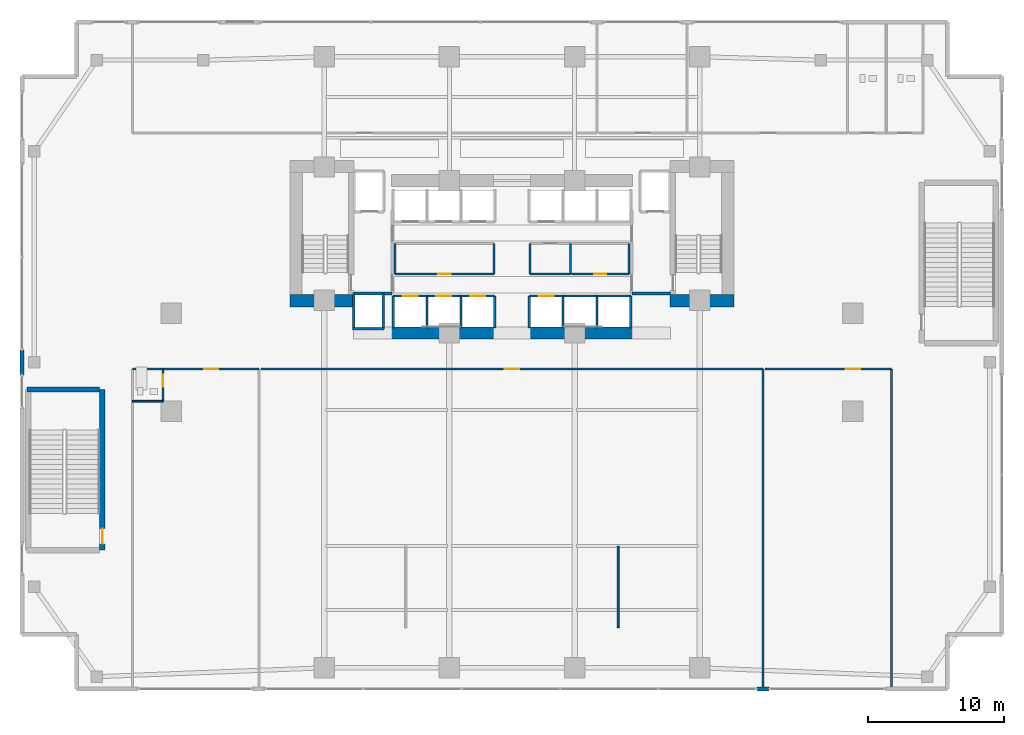
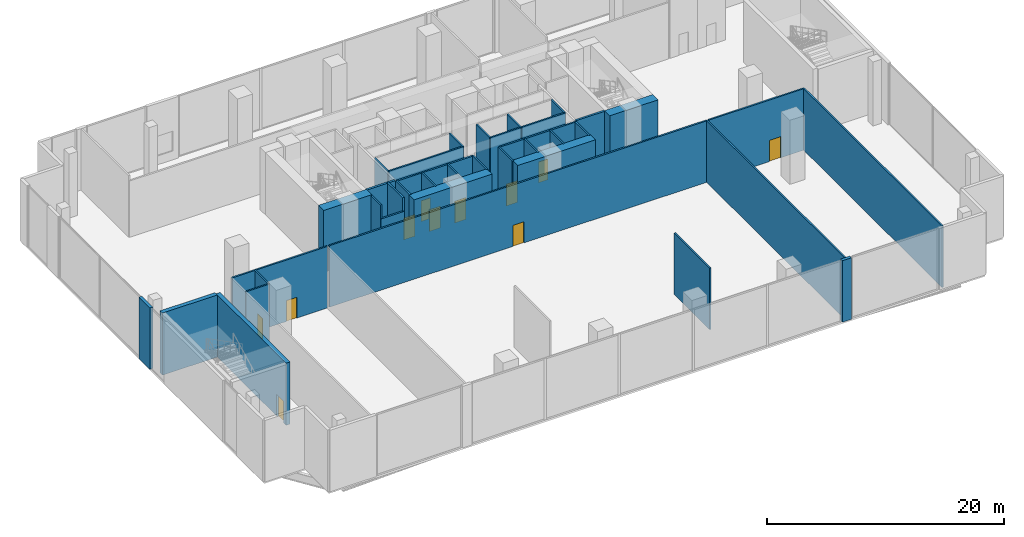
# One storey, part 23 of 30: 43 walls, 11 doors, 11 openings.
"""IFC4 building model written with IfcOpenShell, lengths in metres."""

from ifc_helpers import new_model, si_unit, direction, frame, frame_2d, origin, place, context, subcontext, project, spatial, rectangle, extrude, material, layer, layer_set, type_object, element, fill, save


model = new_model("IFC4")

# Units and contexts
model_context = context("Model", 3, precision=1e-05, world=origin(), true_north=direction((0.0, 1.0)))
body_context = subcontext(model_context, "Body", "Model", "MODEL_VIEW")
ifc_project = project(units=[si_unit("LENGTHUNIT", "METRE"), si_unit("AREAUNIT", "SQUARE_METRE"), si_unit("VOLUMEUNIT", "CUBIC_METRE"), si_unit("PLANEANGLEUNIT", "RADIAN"), si_unit("MASSUNIT", "GRAM", prefix="KILO")], contexts=[model_context])

# Site, building, storey
site_placement = place(None, origin())
site = spatial("IfcSite", under=ifc_project, at=site_placement, CompositionType="ELEMENT")
building_placement = place(site_placement, origin())
building = spatial("IfcBuilding", under=site, at=building_placement, Name="Zuhayl Quay Hotel", CompositionType="ELEMENT")
storey_placement = place(building_placement, frame((0.0, 0.0, 11.39990234375)))
storey = spatial("IfcBuildingStorey", under=building, at=storey_placement, Name="L02", CompositionType="ELEMENT", Elevation=11.39990234375)

# Walls
ifc_material_1 = material(Name="Concrete C70/85", Category="concrete")
ifc_layer_1 = layer(ifc_material_1, 0.89990234375, Name="Concrete C70/85", Category="concrete")
ifc_layer_set_1 = layer_set([ifc_layer_1], Name="Concrete C70/85")
wall_type_1 = type_object("IfcWallType", Name="WL_CORE_900", PredefinedType="SHEAR", material=ifc_layer_set_1)
for number, where, z_axis, x_axis, name in (
    (1, (-16.31005859375, 4.52001953125, 0.0), (0.0, 0.0, 1.0), (1.0, 0.0, 0.0), "L02 Core Shear Wall CW_SW"),
    (2, (11.60009765625, 4.52001953125, 0.0), (0.0, 0.0, 1.0), (1.0, 0.0, 0.0), "L02 Core Shear Wall CW_SE"),
):
    element("IfcWall", number, at=place(storey_placement, frame(where, z_axis=z_axis, x_axis=x_axis)), inside=storey, type_object=wall_type_1, Name=name, PredefinedType="SHEAR", context=body_context, shape_type="SweptSolid", body=[
        extrude(rectangle(XDim=4.7099609375, YDim=0.89990234375, at=frame_2d((2.35498046875, 0.0))), origin(), (0.0, 0.0, 1.0), 6.41015625),
    ])
for number, where, z_axis, x_axis, name in (
    (3, (-8.85009765625, 2.14990234375, 0.0), (0.0, 0.0, 1.0), (1.0, 0.0, 0.0), "L02 Core Shear Wall CW_SC_W"),
    (4, (1.25, 2.14990234375, 0.0), (0.0, 0.0, 1.0), (1.0, 0.0, 0.0), "L02 Core Shear Wall CW_SC_E"),
):
    element("IfcWall", number, at=place(storey_placement, frame(where, z_axis=z_axis, x_axis=x_axis)), inside=storey, type_object=wall_type_1, Name=name, PredefinedType="SHEAR", context=body_context, shape_type="SweptSolid", body=[
        extrude(rectangle(XDim=7.60009765625, YDim=0.89990234375, at=frame_2d((3.800048828125, 0.0))), origin(), (0.0, 0.0, 1.0), 6.340087890625),
    ])
ifc_material_2 = material(Name="Precast concrete C45/55", Category="concrete")
ifc_layer_2 = layer(ifc_material_2, 0.300048828125, Name="Precast concrete C45/55", Category="concrete")
ifc_layer_set_2 = layer_set([ifc_layer_2], Name="Precast concrete C45/55")
wall_type_2 = type_object("IfcWallType", Name="WL_EXT_300", PredefinedType="STANDARD", material=ifc_layer_set_2)
wall_1_placement = place(storey_placement, frame((-36.0, -0.919921875, 0.0), z_axis=(0.0, 0.0, 1.0), x_axis=(0.0, 1.0, 0.0)))
element("IfcWall", 5, at=wall_1_placement, inside=storey, type_object=wall_type_2, Name="L02 Exterior Precast Wall ENV_L02_E02_EW3", PredefinedType="STANDARD", context=body_context, shape_type="SweptSolid", body=[
    extrude(rectangle(XDim=1.83984375, YDim=0.300048828125, at=frame_2d((0.919921875, 0.0))), origin(), (0.0, 0.0, 1.0), 6.340087890625),
])
wall_2_placement = place(storey_placement, frame((18.889892578125, -24.0, 0.0), z_axis=(0.0, 0.0, 1.0), x_axis=(-1.0, 0.0, 0.0)))
element("IfcWall", 6, at=wall_2_placement, inside=storey, type_object=wall_type_2, Name="L02 Exterior Precast Wall ENV_L02_E11_EW2", PredefinedType="STANDARD", context=body_context, shape_type="SweptSolid", body=[
    extrude(rectangle(XDim=0.89990234375, YDim=0.300048828125, at=frame_2d((0.449951171875, 0.0))), origin(), (0.0, 0.0, 1.0), 6.340087890625),
])
ifc_material_3 = material(Name="Acoustic Timber Operable Panel STC-54", Category="wood")
ifc_layer_3 = layer(ifc_material_3, 0.139892578125, Name="Acoustic Timber Operable Panel STC-54", Category="wood")
ifc_layer_set_3 = layer_set([ifc_layer_3], Name="Acoustic Timber Operable Panel STC-54")
wall_type_3 = type_object("IfcWallType", Name="WL_MOVABLE_140", PredefinedType="MOVABLE", material=ifc_layer_set_3)
wall_3_placement = place(storey_placement, frame((7.800048828125, -19.5, 0.0), z_axis=(0.0, 0.0, 1.0), x_axis=(0.0, 1.0, 0.0)))
element("IfcWall", 7, at=wall_3_placement, inside=storey, type_object=wall_type_3, Name="L02 Operable Acoustic Banquet Partition MW1-2", PredefinedType="MOVABLE", context=body_context, shape_type="SweptSolid", body=[
    extrude(rectangle(XDim=6.0, YDim=0.139892578125, at=frame_2d((3.0, 0.0))), origin(), (0.0, 0.0, 1.0), 6.340087890625),
])

# Wall, opening, door
ifc_material_4 = material(Name="Acoustic Gypsum Partition STC-58")
ifc_layer_4 = layer(ifc_material_4, 0.14990234375, Name="Acoustic Gypsum Partition STC-58")
ifc_layer_set_4 = layer_set([ifc_layer_4], Name="Acoustic Gypsum Partition STC-58")
wall_type_4 = type_object("IfcWallType", Name="WL_PART_150", PredefinedType="PARTITIONING", material=ifc_layer_set_4)
wall_4_placement = place(storey_placement, frame((-8.610107421875, 6.47998046875, 0.0), z_axis=(0.0, 0.0, 1.0), x_axis=(1.0, 0.0, 0.0)))
wall_4 = element("IfcWall", 8, at=wall_4_placement, inside=storey, type_object=wall_type_4, Name="L02 Partition IW_L02_CORE_EL_S", PredefinedType="PARTITIONING", context=body_context, shape_type="SweptSolid", body=[
    extrude(rectangle(XDim=7.2900390625, YDim=0.14990234375, at=frame_2d((3.64501953125, 0.0))), origin(), (0.0, 0.0, 1.0), 6.340087890625),
])
opening_1_placement = place(wall_4_placement, frame((3.195068359375, 0.0, 0.0)))
opening_1 = element("IfcOpeningElement", 9, at=opening_1_placement, cuts=wall_4, Name="Opening D06", PredefinedType="OPENING", context=body_context, shape_type="SweptSolid", body=[
    extrude(rectangle(XDim=0.89990234375, YDim=2.14990234375, at=frame_2d((0.449951171875, 1.074951171875))), frame((0.0, 0.0849609375, 0.0), z_axis=(0.0, -1.0, 0.0), x_axis=(1.0, 0.0, 0.0)), (0.0, 0.0, 1.0), 0.169921875),
])
ifc_material_5 = material(Name="Steel ASTM A992 Grade 50", Category="steel")
door_type_1 = type_object("IfcDoorType", Name="DR_INT_900", OperationType="NOTDEFINED", PredefinedType="DOOR", material=ifc_material_5)
door_1_placement = place(opening_1_placement, origin())
door_1 = element("IfcDoor", 10, at=door_1_placement, inside=storey, type_object=door_type_1, Name="L02 Floor Electrical Plant Room Door", OperationType="SINGLE_SWING_RIGHT", OverallHeight=2.14990234375, OverallWidth=0.89990234375, PredefinedType="DOOR", context=body_context, shape_type="SweptSolid", body=[
    extrude(rectangle(XDim=0.89990234375, YDim=2.14990234375, at=frame_2d((0.449951171875, 1.074951171875))), frame((0.0, 0.02490234375, 0.0), z_axis=(0.0, -1.0, 0.0), x_axis=(1.0, 0.0, 0.0)), (0.0, 0.0, 1.0), 0.050048828125),
])
fill(opening_1, door_1)

wall_5_placement = place(storey_placement, frame((4.3701171875, 6.47998046875, 0.0), z_axis=(0.0, 0.0, 1.0), x_axis=(1.0, 0.0, 0.0)))
wall_5 = element("IfcWall", 11, at=wall_5_placement, inside=storey, type_object=wall_type_4, Name="L02 Partition IW_L02_CORE_LN_S", PredefinedType="PARTITIONING", context=body_context, shape_type="SweptSolid", body=[
    extrude(rectangle(XDim=4.239990234375, YDim=0.14990234375, at=frame_2d((2.1201171875, 0.0))), origin(), (0.0, 0.0, 1.0), 6.340087890625),
])
opening_2_placement = place(wall_5_placement, frame((1.669921875, 0.0, 0.0)))
opening_2 = element("IfcOpeningElement", 12, at=opening_2_placement, cuts=wall_5, Name="Opening D06", PredefinedType="OPENING", context=body_context, shape_type="SweptSolid", body=[
    extrude(rectangle(XDim=0.89990234375, YDim=2.14990234375, at=frame_2d((0.449951171875, 1.074951171875))), frame((0.0, 0.0849609375, 0.0), z_axis=(0.0, -1.0, 0.0), x_axis=(1.0, 0.0, 0.0)), (0.0, 0.0, 1.0), 0.169921875),
])
door_2_placement = place(opening_2_placement, origin())
door_2 = element("IfcDoor", 13, at=door_2_placement, inside=storey, type_object=door_type_1, Name="L02 Core Linen Store Door", OperationType="SINGLE_SWING_RIGHT", OverallHeight=2.14990234375, OverallWidth=0.89990234375, PredefinedType="DOOR", context=body_context, shape_type="SweptSolid", body=[
    extrude(rectangle(XDim=0.89990234375, YDim=2.14990234375, at=frame_2d((0.449951171875, 1.074951171875))), frame((0.0, 0.02490234375, 0.0), z_axis=(0.0, -1.0, 0.0), x_axis=(1.0, 0.0, 0.0)), (0.0, 0.0, 1.0), 0.050048828125),
])
fill(opening_2, door_2)

# Walls
for number, where, z_axis, x_axis, name in (
    (14, (-8.610107421875, 6.47998046875, 0.0), (0.0, 0.0, 1.0), (0.0, 1.0, 0.0), "L02 Partition IW_L02_CORE_EL_W"),
    (15, (-1.320068359375, 6.47998046875, 0.0), (0.0, 0.0, 1.0), (0.0, 1.0, 0.0), "L02 Partition IW_L02_CORE_EL_E"),
):
    element("IfcWall", number, at=place(storey_placement, frame(where, z_axis=z_axis, x_axis=x_axis)), inside=storey, type_object=wall_type_4, Name=name, PredefinedType="PARTITIONING", context=body_context, shape_type="SweptSolid", body=[
        extrude(rectangle(XDim=2.239990234375, YDim=0.14990234375, at=frame_2d((1.1201171875, 0.0))), origin(), (0.0, 0.0, 1.0), 6.340087890625),
    ])
wall_6_placement = place(storey_placement, frame((1.320068359375, 6.47998046875, 0.0), z_axis=(0.0, 0.0, 1.0), x_axis=(1.0, 0.0, 0.0)))
element("IfcWall", 16, at=wall_6_placement, inside=storey, type_object=wall_type_4, Name="L02 Partition IW_L02_CORE_IT_S", PredefinedType="PARTITIONING", context=body_context, shape_type="SweptSolid", body=[
    extrude(rectangle(XDim=2.989990234375, YDim=0.14990234375, at=frame_2d((1.4951171875, 0.0))), origin(), (0.0, 0.0, 1.0), 6.340087890625),
])
for number, where, z_axis, x_axis, name in (
    (17, (1.320068359375, 6.47998046875, 0.0), (0.0, 0.0, 1.0), (0.0, 1.0, 0.0), "L02 Partition IW_L02_CORE_IT_W"),
    (18, (4.31005859375, 6.47998046875, 0.0), (0.0, 0.0, 1.0), (0.0, 1.0, 0.0), "L02 Partition IW_L02_CORE_IT_E"),
    (19, (8.610107421875, 6.47998046875, 0.0), (0.0, 0.0, 1.0), (0.0, 1.0, 0.0), "L02 Partition IW_L02_CORE_LN_E"),
):
    element("IfcWall", number, at=place(storey_placement, frame(where, z_axis=z_axis, x_axis=x_axis)), inside=storey, type_object=wall_type_4, Name=name, PredefinedType="PARTITIONING", context=body_context, shape_type="SweptSolid", body=[
        extrude(rectangle(XDim=2.239990234375, YDim=0.14990234375, at=frame_2d((1.1201171875, 0.0))), origin(), (0.0, 0.0, 1.0), 6.340087890625),
    ])
for number, where, z_axis, x_axis, name in (
    (20, (18.43994140625, -23.93994140625, 0.0), (0.0, 0.0, 1.0), (0.0, 1.0, 0.0), "L02 Partition IW_L02_BALLROOM_E"),
    (21, (27.89990234375, -23.93994140625, 0.0), (0.0, 0.0, 1.0), (0.0, 1.0, 0.0), "L02 Partition IW_L02_BQ_KITCH_E"),
):
    element("IfcWall", number, at=place(storey_placement, frame(where, z_axis=z_axis, x_axis=x_axis)), inside=storey, type_object=wall_type_4, Name=name, PredefinedType="PARTITIONING", context=body_context, shape_type="SweptSolid", body=[
        extrude(rectangle(XDim=23.43994140625, YDim=0.14990234375, at=frame_2d((11.719970703125, 0.0))), origin(), (0.0, 0.0, 1.0), 6.340087890625),
    ])

# Wall, opening, door
ifc_layer_5 = layer(ifc_material_4, 0.159912109375, Name="Acoustic Gypsum Partition STC-58")
ifc_layer_set_5 = layer_set([ifc_layer_5], Name="Acoustic Gypsum Partition STC-58")
wall_type_5 = type_object("IfcWallType", Name="WL_PART_CORR_160", PredefinedType="PARTITIONING", material=ifc_layer_set_5)
wall_7_placement = place(storey_placement, frame((-27.89990234375, -0.5, 0.0), z_axis=(0.0, 0.0, 1.0), x_axis=(1.0, 0.0, 0.0)))
wall_7 = element("IfcWall", 22, at=wall_7_placement, inside=storey, type_object=wall_type_5, Name="L02 Partition IW_L02_BRIDAL_COR", PredefinedType="PARTITIONING", context=body_context, shape_type="SweptSolid", body=[
    extrude(rectangle(XDim=9.2998046875, YDim=0.159912109375, at=frame_2d((4.64990234375, 0.0))), origin(), (0.0, 0.0, 1.0), 6.340087890625),
])
opening_3_placement = place(wall_7_placement, frame((5.300048828125, 0.0, 0.0)))
opening_3 = element("IfcOpeningElement", 23, at=opening_3_placement, cuts=wall_7, Name="Opening D03L", PredefinedType="OPENING", context=body_context, shape_type="SweptSolid", body=[
    extrude(rectangle(XDim=1.0, YDim=2.14990234375, at=frame_2d((0.5, 1.074951171875))), frame((0.0, 0.08984375, 0.0), z_axis=(0.0, -1.0, 0.0), x_axis=(1.0, 0.0, 0.0)), (0.0, 0.0, 1.0), 0.179931640625),
])
ifc_material_6 = material(Name="Solid Walnut Acoustic Fire Door")
door_type_2 = type_object("IfcDoorType", Name="DR_SUITE_1000", OperationType="NOTDEFINED", PredefinedType="DOOR", material=ifc_material_6)
door_3_placement = place(opening_3_placement, origin())
door_3 = element("IfcDoor", 24, at=door_3_placement, inside=storey, type_object=door_type_2, Name="L02 Bridal Preparation Guest Suite Entrance Door", OperationType="SINGLE_SWING_RIGHT", OverallHeight=2.14990234375, OverallWidth=1.0, PredefinedType="DOOR", context=body_context, shape_type="SweptSolid", body=[
    extrude(rectangle(XDim=1.0, YDim=2.14990234375, at=frame_2d((0.5, 1.074951171875))), frame((0.0, 0.02490234375, 0.0), z_axis=(0.0, -1.0, 0.0), x_axis=(1.0, 0.0, 0.0)), (0.0, 0.0, 1.0), 0.050048828125),
])
fill(opening_3, door_3)

wall_8_placement = place(storey_placement, frame((-18.43994140625, -0.5, 0.0), z_axis=(0.0, 0.0, 1.0), x_axis=(1.0, 0.0, 0.0)))
wall_8 = element("IfcWall", 25, at=wall_8_placement, inside=storey, type_object=wall_type_5, Name="L02 Partition IW_L02_BALLROOM_N", PredefinedType="PARTITIONING", context=body_context, shape_type="SweptSolid", body=[
    extrude(rectangle(XDim=36.8798828125, YDim=0.159912109375, at=frame_2d((18.43994140625, 0.0))), origin(), (0.0, 0.0, 1.0), 6.340087890625),
])
opening_4_placement = place(wall_8_placement, frame((17.89990234375, 0.0, 0.0)))
opening_4 = element("IfcOpeningElement", 26, at=opening_4_placement, cuts=wall_8, Name="Opening D05A", PredefinedType="OPENING", context=body_context, shape_type="SweptSolid", body=[
    extrude(rectangle(XDim=1.080078125, YDim=2.179931640625, at=frame_2d((0.5400390625, 1.08984375))), frame((0.0, 0.08984375, 0.0), z_axis=(0.0, -1.0, 0.0), x_axis=(1.0, 0.0, 0.0)), (0.0, 0.0, 1.0), 0.179931640625),
])
door_type_3 = type_object("IfcDoorType", Name="DR_INT_1100", OperationType="NOTDEFINED", PredefinedType="DOOR", material=ifc_material_6)
door_4_placement = place(opening_4_placement, origin())
door_4 = element("IfcDoor", 27, at=door_4_placement, inside=storey, type_object=door_type_3, Name="L02 Column-Free Grand Ballroom Door", OperationType="SINGLE_SWING_LEFT", OverallHeight=2.179931640625, OverallWidth=1.080078125, PredefinedType="DOOR", context=body_context, shape_type="SweptSolid", body=[
    extrude(rectangle(XDim=1.080078125, YDim=2.179931640625, at=frame_2d((0.5400390625, 1.08984375))), frame((0.0, 0.02490234375, 0.0), z_axis=(0.0, -1.0, 0.0), x_axis=(1.0, 0.0, 0.0)), (0.0, 0.0, 1.0), 0.050048828125),
])
fill(opening_4, door_4)

wall_9_placement = place(storey_placement, frame((18.60009765625, -0.5, 0.0), z_axis=(0.0, 0.0, 1.0), x_axis=(1.0, 0.0, 0.0)))
wall_9 = element("IfcWall", 28, at=wall_9_placement, inside=storey, type_object=wall_type_5, Name="L02 Partition IW_L02_BQ_KITCH_N", PredefinedType="PARTITIONING", context=body_context, shape_type="SweptSolid", body=[
    extrude(rectangle(XDim=9.2998046875, YDim=0.159912109375, at=frame_2d((4.64990234375, 0.0))), origin(), (0.0, 0.0, 1.0), 6.340087890625),
])
opening_5_placement = place(wall_9_placement, frame((5.909912109375, 0.0, 0.0)))
opening_5 = element("IfcOpeningElement", 29, at=opening_5_placement, cuts=wall_9, Name="Opening D05A", PredefinedType="OPENING", context=body_context, shape_type="SweptSolid", body=[
    extrude(rectangle(XDim=1.080078125, YDim=2.179931640625, at=frame_2d((0.5400390625, 1.08984375))), frame((0.0, 0.08984375, 0.0), z_axis=(0.0, -1.0, 0.0), x_axis=(1.0, 0.0, 0.0)), (0.0, 0.0, 1.0), 0.179931640625),
])
door_5_placement = place(opening_5_placement, origin())
door_5 = element("IfcDoor", 30, at=door_5_placement, inside=storey, type_object=door_type_3, Name="L02 Banquet Plating Kitchen Door", OperationType="SINGLE_SWING_RIGHT", OverallHeight=2.179931640625, OverallWidth=1.080078125, PredefinedType="DOOR", context=body_context, shape_type="SweptSolid", body=[
    extrude(rectangle(XDim=1.080078125, YDim=2.179931640625, at=frame_2d((0.5400390625, 1.08984375))), frame((0.0, 0.02490234375, 0.0), z_axis=(0.0, -1.0, 0.0), x_axis=(1.0, 0.0, 0.0)), (0.0, 0.0, 1.0), 0.050048828125),
])
fill(opening_5, door_5)

ifc_material_7 = material(Name="Moisture-Resistant Sanitarychase Gypsum")
ifc_layer_6 = layer(ifc_material_7, 0.135009765625, Name="Moisture-Resistant Sanitarychase Gypsum")
ifc_layer_set_6 = layer_set([ifc_layer_6], Name="Moisture-Resistant Sanitarychase Gypsum")
wall_type_6 = type_object("IfcWallType", Name="WL_PART_PLUMB_150", PredefinedType="PLUMBINGWALL", material=ifc_layer_set_6)
wall_10_placement = place(storey_placement, frame((-25.639892578125, -2.860107421875, 0.0), z_axis=(0.0, 0.0, 1.0), x_axis=(0.0, 1.0, 0.0)))
wall_10 = element("IfcWall", 31, at=wall_10_placement, inside=storey, type_object=wall_type_6, Name="L02 Partition IW_L02_BRIDAL_BE", PredefinedType="PLUMBINGWALL", context=body_context, shape_type="SweptSolid", body=[
    extrude(rectangle(XDim=2.360107421875, YDim=0.135009765625, at=frame_2d((1.18017578125, 0.0))), origin(), (0.0, 0.0, 1.0), 6.340087890625),
])
opening_6_placement = place(wall_10_placement, frame((1.080078125, 0.0, 0.0)))
opening_6 = element("IfcOpeningElement", 32, at=opening_6_placement, cuts=wall_10, Name="Opening D04", PredefinedType="OPENING", context=body_context, shape_type="SweptSolid", body=[
    extrude(rectangle(XDim=0.85009765625, YDim=2.10009765625, at=frame_2d((0.425048828125, 1.050048828125))), frame((0.0, 0.077392578125, 0.0), z_axis=(0.0, -1.0, 0.0), x_axis=(1.0, 0.0, 0.0)), (0.0, 0.0, 1.0), 0.155029296875),
])
ifc_material_8 = material(Name="Moisture-Resistant Walnut Veneer")
door_type_4 = type_object("IfcDoorType", Name="DR_BATH_850", OperationType="NOTDEFINED", PredefinedType="DOOR", material=ifc_material_8)
door_6_placement = place(opening_6_placement, origin())
door_6 = element("IfcDoor", 33, at=door_6_placement, inside=storey, type_object=door_type_4, Name="L02 Bridal Preparation Guest Suite En-Suite Door", OperationType="SINGLE_SWING_LEFT", OverallHeight=2.10009765625, OverallWidth=0.85009765625, PredefinedType="DOOR", context=body_context, shape_type="SweptSolid", body=[
    extrude(rectangle(XDim=0.85009765625, YDim=2.10009765625, at=frame_2d((0.425048828125, 1.050048828125))), frame((0.0, 0.02490234375, 0.0), z_axis=(0.0, -1.0, 0.0), x_axis=(1.0, 0.0, 0.0)), (0.0, 0.0, 1.0), 0.050048828125),
])
fill(opening_6, door_6)

# Wall
wall_11_placement = place(storey_placement, frame((-27.89990234375, -2.860107421875, 0.0), z_axis=(0.0, 0.0, 1.0), x_axis=(1.0, 0.0, 0.0)))
element("IfcWall", 34, at=wall_11_placement, inside=storey, type_object=wall_type_6, Name="L02 Partition IW_L02_BRIDAL_BS", PredefinedType="PLUMBINGWALL", context=body_context, shape_type="SweptSolid", body=[
    extrude(rectangle(XDim=2.260009765625, YDim=0.135009765625, at=frame_2d((1.1298828125, 0.0))), origin(), (0.0, 0.0, 1.0), 6.340087890625),
])

# Wall, opening, door
ifc_material_9 = material(Name="Gypsum Fireboard Assembly EI-90")
ifc_layer_7 = layer(ifc_material_9, 0.1650390625, Name="Gypsum Fireboard Assembly EI-90")
ifc_layer_set_7 = layer_set([ifc_layer_7], Name="Gypsum Fireboard Assembly EI-90")
wall_type_7 = type_object("IfcWallType", Name="WL_PART_SHAFT_160", PredefinedType="PARTITIONING", material=ifc_layer_set_7)
wall_12_placement = place(storey_placement, frame((-8.72998046875, 4.8798828125, 0.0), z_axis=(0.0, 0.0, 1.0), x_axis=(1.0, 0.0, 0.0)))
wall_12 = element("IfcWall", 35, at=wall_12_placement, inside=storey, type_object=wall_type_7, Name="L02 Partition IW_L02_SH_LP1_F", PredefinedType="PARTITIONING", context=body_context, shape_type="SweptSolid", body=[
    extrude(rectangle(XDim=2.47998046875, YDim=0.1650390625, at=frame_2d((1.239990234375, 0.0))), origin(), (0.0, 0.0, 1.0), 6.340087890625),
])
opening_7_placement = place(wall_12_placement, frame((0.68994140625, 0.0, 0.0)))
opening_7 = element("IfcOpeningElement", 36, at=opening_7_placement, cuts=wall_12, Name="Opening LD1", PredefinedType="OPENING", context=body_context, shape_type="SweptSolid", body=[
    extrude(rectangle(XDim=1.10009765625, YDim=2.25, at=frame_2d((0.550048828125, 1.125))), frame((0.0, 0.092529296875, 0.0), z_axis=(0.0, -1.0, 0.0), x_axis=(1.0, 0.0, 0.0)), (0.0, 0.0, 1.0), 0.18505859375),
])
ifc_material_10 = material(Name="Brushed Stainless Steel", Category="steel")
door_type_5 = type_object("IfcDoorType", Name="DR_LIFT_PASS_1100", OperationType="SLIDING_TO_LEFT", PredefinedType="DOOR", material=ifc_material_10)
door_7_placement = place(opening_7_placement, origin())
door_7 = element("IfcDoor", 37, at=door_7_placement, inside=storey, type_object=door_type_5, Name="L02 Lift LP1 Sliding Landing Door", OperationType="SLIDING_TO_LEFT", OverallHeight=2.25, OverallWidth=1.10009765625, PredefinedType="DOOR", context=body_context, shape_type="SweptSolid", body=[
    extrude(rectangle(XDim=1.10009765625, YDim=2.25, at=frame_2d((0.550048828125, 1.125))), frame((0.0, 0.02490234375, 0.0), z_axis=(0.0, -1.0, 0.0), x_axis=(1.0, 0.0, 0.0)), (0.0, 0.0, 1.0), 0.050048828125),
])
fill(opening_7, door_7)

wall_13_placement = place(storey_placement, frame((-6.25, 4.8798828125, 0.0), z_axis=(0.0, 0.0, 1.0), x_axis=(1.0, 0.0, 0.0)))
wall_13 = element("IfcWall", 38, at=wall_13_placement, inside=storey, type_object=wall_type_7, Name="L02 Partition IW_L02_SH_LP2_F", PredefinedType="PARTITIONING", context=body_context, shape_type="SweptSolid", body=[
    extrude(rectangle(XDim=2.5, YDim=0.1650390625, at=frame_2d((1.25, 0.0))), origin(), (0.0, 0.0, 1.0), 6.340087890625),
])
opening_8_placement = place(wall_13_placement, frame((0.699951171875, 0.0, 0.0)))
opening_8 = element("IfcOpeningElement", 39, at=opening_8_placement, cuts=wall_13, Name="Opening LD1", PredefinedType="OPENING", context=body_context, shape_type="SweptSolid", body=[
    extrude(rectangle(XDim=1.10009765625, YDim=2.25, at=frame_2d((0.550048828125, 1.125))), frame((0.0, 0.092529296875, 0.0), z_axis=(0.0, -1.0, 0.0), x_axis=(1.0, 0.0, 0.0)), (0.0, 0.0, 1.0), 0.18505859375),
])
door_8_placement = place(opening_8_placement, origin())
door_8 = element("IfcDoor", 40, at=door_8_placement, inside=storey, type_object=door_type_5, Name="L02 Lift LP2 Sliding Landing Door", OperationType="SLIDING_TO_LEFT", OverallHeight=2.25, OverallWidth=1.10009765625, PredefinedType="DOOR", context=body_context, shape_type="SweptSolid", body=[
    extrude(rectangle(XDim=1.10009765625, YDim=2.25, at=frame_2d((0.550048828125, 1.125))), frame((0.0, 0.02490234375, 0.0), z_axis=(0.0, -1.0, 0.0), x_axis=(1.0, 0.0, 0.0)), (0.0, 0.0, 1.0), 0.050048828125),
])
fill(opening_8, door_8)

wall_14_placement = place(storey_placement, frame((-3.75, 4.8798828125, 0.0), z_axis=(0.0, 0.0, 1.0), x_axis=(1.0, 0.0, 0.0)))
wall_14 = element("IfcWall", 41, at=wall_14_placement, inside=storey, type_object=wall_type_7, Name="L02 Partition IW_L02_SH_MP1_F", PredefinedType="PARTITIONING", context=body_context, shape_type="SweptSolid", body=[
    extrude(rectangle(XDim=2.47998046875, YDim=0.1650390625, at=frame_2d((1.239990234375, 0.0))), origin(), (0.0, 0.0, 1.0), 6.340087890625),
])
opening_9_placement = place(wall_14_placement, frame((0.68994140625, 0.0, 0.0)))
opening_9 = element("IfcOpeningElement", 42, at=opening_9_placement, cuts=wall_14, Name="Opening LD1", PredefinedType="OPENING", context=body_context, shape_type="SweptSolid", body=[
    extrude(rectangle(XDim=1.10009765625, YDim=2.25, at=frame_2d((0.550048828125, 1.125))), frame((0.0, 0.092529296875, 0.0), z_axis=(0.0, -1.0, 0.0), x_axis=(1.0, 0.0, 0.0)), (0.0, 0.0, 1.0), 0.18505859375),
])
door_9_placement = place(opening_9_placement, origin())
door_9 = element("IfcDoor", 43, at=door_9_placement, inside=storey, type_object=door_type_5, Name="L02 Lift MP1 Sliding Landing Door", OperationType="SLIDING_TO_LEFT", OverallHeight=2.25, OverallWidth=1.10009765625, PredefinedType="DOOR", context=body_context, shape_type="SweptSolid", body=[
    extrude(rectangle(XDim=1.10009765625, YDim=2.25, at=frame_2d((0.550048828125, 1.125))), frame((0.0, 0.02490234375, 0.0), z_axis=(0.0, -1.0, 0.0), x_axis=(1.0, 0.0, 0.0)), (0.0, 0.0, 1.0), 0.050048828125),
])
fill(opening_9, door_9)

wall_15_placement = place(storey_placement, frame((1.27001953125, 4.8798828125, 0.0), z_axis=(0.0, 0.0, 1.0), x_axis=(1.0, 0.0, 0.0)))
wall_15 = element("IfcWall", 44, at=wall_15_placement, inside=storey, type_object=wall_type_7, Name="L02 Partition IW_L02_SH_MP2_F", PredefinedType="PARTITIONING", context=body_context, shape_type="SweptSolid", body=[
    extrude(rectangle(XDim=2.47998046875, YDim=0.1650390625, at=frame_2d((1.239990234375, 0.0))), origin(), (0.0, 0.0, 1.0), 6.340087890625),
])
opening_10_placement = place(wall_15_placement, frame((0.68994140625, 0.0, 0.0)))
opening_10 = element("IfcOpeningElement", 45, at=opening_10_placement, cuts=wall_15, Name="Opening LD1", PredefinedType="OPENING", context=body_context, shape_type="SweptSolid", body=[
    extrude(rectangle(XDim=1.10009765625, YDim=2.25, at=frame_2d((0.550048828125, 1.125))), frame((0.0, 0.092529296875, 0.0), z_axis=(0.0, -1.0, 0.0), x_axis=(1.0, 0.0, 0.0)), (0.0, 0.0, 1.0), 0.18505859375),
])
door_10_placement = place(opening_10_placement, origin())
door_10 = element("IfcDoor", 46, at=door_10_placement, inside=storey, type_object=door_type_5, Name="L02 Lift MP2 Sliding Landing Door", OperationType="SLIDING_TO_LEFT", OverallHeight=2.25, OverallWidth=1.10009765625, PredefinedType="DOOR", context=body_context, shape_type="SweptSolid", body=[
    extrude(rectangle(XDim=1.10009765625, YDim=2.25, at=frame_2d((0.550048828125, 1.125))), frame((0.0, 0.02490234375, 0.0), z_axis=(0.0, -1.0, 0.0), x_axis=(1.0, 0.0, 0.0)), (0.0, 0.0, 1.0), 0.050048828125),
])
fill(opening_10, door_10)

# Walls
for number, where, z_axis, x_axis, name in (
    (47, (-8.72998046875, 2.52001953125, 0.0), (0.0, 0.0, 1.0), (0.0, 1.0, 0.0), "L02 Partition IW_L02_SH_LP1_W"),
    (48, (-6.25, 2.52001953125, 0.0), (0.0, 0.0, 1.0), (0.0, 1.0, 0.0), "L02 Partition IW_L02_SH_LP1_E"),
    (49, (-3.75, 2.52001953125, 0.0), (0.0, 0.0, 1.0), (0.0, 1.0, 0.0), "L02 Partition IW_L02_SH_LP2_E"),
    (50, (-1.27001953125, 2.52001953125, 0.0), (0.0, 0.0, 1.0), (0.0, 1.0, 0.0), "L02 Partition IW_L02_SH_MP1_E"),
    (51, (1.27001953125, 2.52001953125, 0.0), (0.0, 0.0, 1.0), (0.0, 1.0, 0.0), "L02 Partition IW_L02_SH_MP2_W"),
    (52, (3.75, 2.52001953125, 0.0), (0.0, 0.0, 1.0), (0.0, 1.0, 0.0), "L02 Partition IW_L02_SH_MP2_E"),
):
    element("IfcWall", number, at=place(storey_placement, frame(where, z_axis=z_axis, x_axis=x_axis)), inside=storey, type_object=wall_type_7, Name=name, PredefinedType="PARTITIONING", context=body_context, shape_type="SweptSolid", body=[
        extrude(rectangle(XDim=2.35986328125, YDim=0.1650390625, at=frame_2d((1.179931640625, 0.0))), origin(), (0.0, 0.0, 1.0), 6.340087890625),
    ])
wall_16_placement = place(storey_placement, frame((3.75, 4.8798828125, 0.0), z_axis=(0.0, 0.0, 1.0), x_axis=(1.0, 0.0, 0.0)))
element("IfcWall", 53, at=wall_16_placement, inside=storey, type_object=wall_type_7, Name="L02 Partition IW_L02_SH_HP1_F", PredefinedType="PARTITIONING", context=body_context, shape_type="SweptSolid", body=[
    extrude(rectangle(XDim=2.5, YDim=0.1650390625, at=frame_2d((1.25, 0.0))), origin(), (0.0, 0.0, 1.0), 6.340087890625),
])
wall_17_placement = place(storey_placement, frame((6.25, 2.52001953125, 0.0), z_axis=(0.0, 0.0, 1.0), x_axis=(0.0, 1.0, 0.0)))
element("IfcWall", 54, at=wall_17_placement, inside=storey, type_object=wall_type_7, Name="L02 Partition IW_L02_SH_HP1_E", PredefinedType="PARTITIONING", context=body_context, shape_type="SweptSolid", body=[
    extrude(rectangle(XDim=2.35986328125, YDim=0.1650390625, at=frame_2d((1.179931640625, 0.0))), origin(), (0.0, 0.0, 1.0), 6.340087890625),
])
wall_18_placement = place(storey_placement, frame((6.25, 4.8798828125, 0.0), z_axis=(0.0, 0.0, 1.0), x_axis=(1.0, 0.0, 0.0)))
element("IfcWall", 55, at=wall_18_placement, inside=storey, type_object=wall_type_7, Name="L02 Partition IW_L02_SH_HP2_F", PredefinedType="PARTITIONING", context=body_context, shape_type="SweptSolid", body=[
    extrude(rectangle(XDim=2.47998046875, YDim=0.1650390625, at=frame_2d((1.239990234375, 0.0))), origin(), (0.0, 0.0, 1.0), 6.340087890625),
])
wall_19_placement = place(storey_placement, frame((8.72998046875, 2.52001953125, 0.0), z_axis=(0.0, 0.0, 1.0), x_axis=(0.0, 1.0, 0.0)))
element("IfcWall", 56, at=wall_19_placement, inside=storey, type_object=wall_type_7, Name="L02 Partition IW_L02_SH_HP2_E", PredefinedType="PARTITIONING", context=body_context, shape_type="SweptSolid", body=[
    extrude(rectangle(XDim=2.35986328125, YDim=0.1650390625, at=frame_2d((1.179931640625, 0.0))), origin(), (0.0, 0.0, 1.0), 6.340087890625),
])
wall_20_placement = place(storey_placement, frame((-11.6298828125, 2.469970703125, 0.0), z_axis=(0.0, 0.0, 1.0), x_axis=(0.0, 1.0, 0.0)))
element("IfcWall", 57, at=wall_20_placement, inside=storey, type_object=wall_type_7, Name="L02 Partition IW_L02_RISER_W", PredefinedType="PARTITIONING", context=body_context, shape_type="SweptSolid", body=[
    extrude(rectangle(XDim=2.580078125, YDim=0.1650390625, at=frame_2d((1.2900390625, 0.0))), origin(), (0.0, 0.0, 1.0), 6.340087890625),
])
wall_21_placement = place(storey_placement, frame((-11.7099609375, 2.469970703125, 0.0), z_axis=(0.0, 0.0, 1.0), x_axis=(1.0, 0.0, 0.0)))
element("IfcWall", 58, at=wall_21_placement, inside=storey, type_object=wall_type_7, Name="L02 Partition IW_L02_RISER_S", PredefinedType="PARTITIONING", context=body_context, shape_type="SweptSolid", body=[
    extrude(rectangle(XDim=2.31005859375, YDim=0.1650390625, at=frame_2d((1.155029296875, 0.0))), origin(), (0.0, 0.0, 1.0), 4.940185546875),
])
ifc_layer_8 = layer(ifc_material_9, 0.179931640625, Name="Gypsum Fireboard Assembly EI-90")
ifc_layer_set_8 = layer_set([ifc_layer_8], Name="Gypsum Fireboard Assembly EI-90")
wall_type_8 = type_object("IfcWallType", Name="WL_PART_SHAFT_180", PredefinedType="PARTITIONING", material=ifc_layer_set_8)
wall_22_placement = place(storey_placement, frame((-9.469970703125, 2.449951171875, 0.0), z_axis=(0.0, 0.0, 1.0), x_axis=(0.0, 1.0, 0.0)))
element("IfcWall", 59, at=wall_22_placement, inside=storey, type_object=wall_type_8, Name="L02 Partition IW_L02_RISER_E", PredefinedType="PARTITIONING", context=body_context, shape_type="SweptSolid", body=[
    extrude(rectangle(XDim=2.60009765625, YDim=0.179931640625, at=frame_2d((1.300048828125, 0.0))), origin(), (0.0, 0.0, 1.0), 6.340087890625),
])
ifc_material_11 = material(Name="Gypsum Fireboard Assembly EI-120")
ifc_layer_9 = layer(ifc_material_11, 0.199951171875, Name="Gypsum Fireboard Assembly EI-120")
ifc_layer_set_9 = layer_set([ifc_layer_9], Name="Gypsum Fireboard Assembly EI-120")
wall_type_9 = type_object("IfcWallType", Name="WL_PART_SHAFT_200", PredefinedType="PARTITIONING", material=ifc_layer_set_9)
for number, where, z_axis, x_axis, name in (
    (60, (-11.64990234375, 5.050048828125, 0.0), (0.0, 0.0, 1.0), (1.0, 0.0, 0.0), "L02 Partition IW_L02_FSAE_W_S"),
    (61, (8.800048828125, 5.050048828125, 0.0), (0.0, 0.0, 1.0), (1.0, 0.0, 0.0), "L02 Partition IW_L02_FSAE_E_S"),
):
    element("IfcWall", number, at=place(storey_placement, frame(where, z_axis=z_axis, x_axis=x_axis)), inside=storey, type_object=wall_type_9, Name=name, PredefinedType="PARTITIONING", context=body_context, shape_type="SweptSolid", body=[
        extrude(rectangle(XDim=2.849853515625, YDim=0.199951171875, at=frame_2d((1.4248046875, 0.0))), origin(), (0.0, 0.0, 1.0), 6.340087890625),
    ])

# Wall, opening, door
ifc_material_12 = material(Name="Concrete C60/75", Category="concrete")
ifc_layer_10 = layer(ifc_material_12, 0.39990234375, Name="Concrete C60/75", Category="concrete")
ifc_layer_set_10 = layer_set([ifc_layer_10], Name="Concrete C60/75")
wall_type_10 = type_object("IfcWallType", Name="WL_STAIR_400", PredefinedType="SHEAR", material=ifc_layer_set_10)
wall_23_placement = place(storey_placement, frame((-30.10009765625, -13.800048828125, 0.0), z_axis=(0.0, 0.0, 1.0), x_axis=(0.0, 1.0, 0.0)))
wall_23 = element("IfcWall", 62, at=wall_23_placement, inside=storey, type_object=wall_type_10, Name="L02 Podium Stair Shear Wall SW_ST3_E", PredefinedType="SHEAR", context=body_context, shape_type="SweptSolid", body=[
    extrude(rectangle(XDim=11.800048828125, YDim=0.39990234375, at=frame_2d((5.89990234375, 0.0))), origin(), (0.0, 0.0, 1.0), 6.41015625),
])
opening_11_placement = place(wall_23_placement, frame((0.449951171875, 0.0, 0.0)))
opening_11 = element("IfcOpeningElement", 63, at=opening_11_placement, cuts=wall_23, Name="Opening D01", PredefinedType="OPENING", context=body_context, shape_type="SweptSolid", body=[
    extrude(rectangle(XDim=1.1201171875, YDim=2.219970703125, at=frame_2d((0.56005859375, 1.10986328125))), frame((0.0, 0.2099609375, 0.0), z_axis=(0.0, -1.0, 0.0), x_axis=(1.0, 0.0, 0.0)), (0.0, 0.0, 1.0), 0.419921875),
])
door_type_6 = type_object("IfcDoorType", Name="DR_STAIR_90_1100", OperationType="NOTDEFINED", PredefinedType="DOOR", material=ifc_material_5)
door_11_placement = place(opening_11_placement, origin())
door_11 = element("IfcDoor", 64, at=door_11_placement, inside=storey, type_object=door_type_6, Name="L02 Podium Exit Stair ST3 Door", OperationType="SINGLE_SWING_RIGHT", OverallHeight=2.219970703125, OverallWidth=1.1201171875, PredefinedType="DOOR", context=body_context, shape_type="SweptSolid", body=[
    extrude(rectangle(XDim=1.1201171875, YDim=2.219970703125, at=frame_2d((0.56005859375, 1.10986328125))), frame((0.0, 0.02490234375, 0.0), z_axis=(0.0, -1.0, 0.0), x_axis=(1.0, 0.0, 0.0)), (0.0, 0.0, 1.0), 0.050048828125),
])
fill(opening_11, door_11)

# Wall
wall_24_placement = place(storey_placement, frame((-35.64990234375, -2.0, 0.0), z_axis=(0.0, 0.0, 1.0), x_axis=(1.0, 0.0, 0.0)))
element("IfcWall", 65, at=wall_24_placement, inside=storey, type_object=wall_type_10, Name="L02 Podium Stair Shear Wall SW_ST3_N", PredefinedType="SHEAR", context=body_context, shape_type="SweptSolid", body=[
    extrude(rectangle(XDim=5.349853515625, YDim=0.39990234375, at=frame_2d((2.6748046875, 0.0))), origin(), (0.0, 0.0, 1.0), 6.41015625),
])

save(model, "model.ifc")
